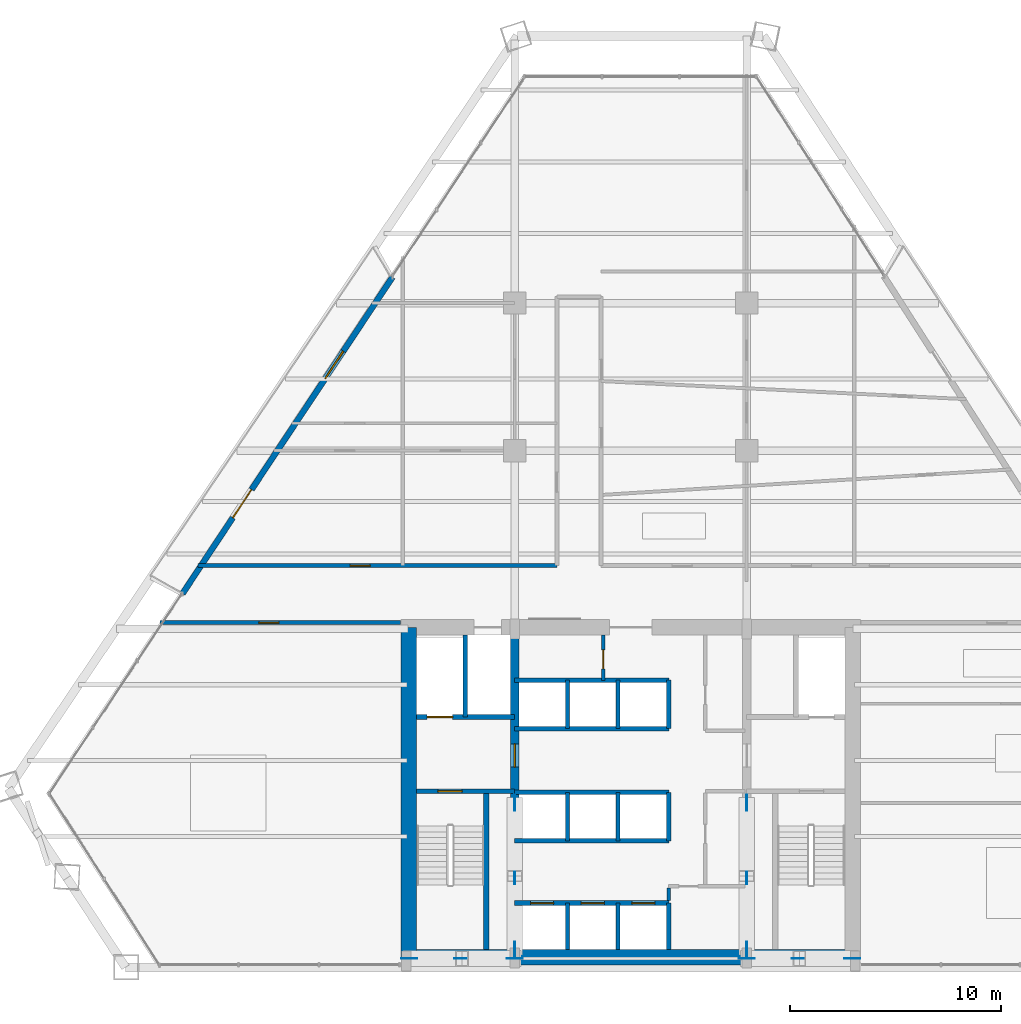
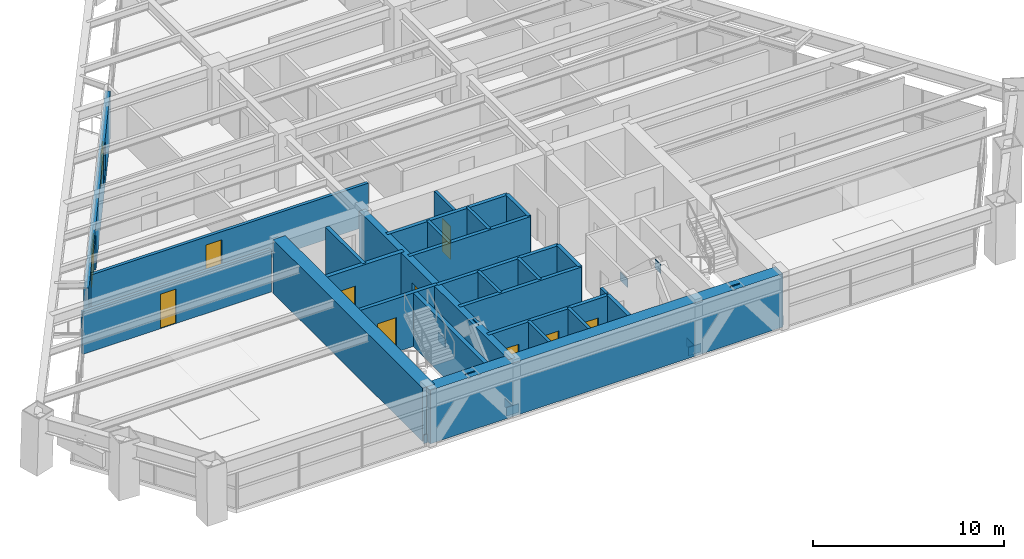
# One storey, part 10 of 14: 26 walls, 12 plates, 10 doors, 1 window, 11 openings.
"""IFC4 building model written with IfcOpenShell, lengths in metres."""

import ifcopenshell
import ifcopenshell.guid

model = None  # the IFC model being written
_history = None  # IfcOwnerHistory: only IFC2X3 demands one
_inside = {}  # id of a spatial element -> (the spatial element, [elements in it])
_under = {}  # id of a project, library or spatial element -> (it, [spatial elements below it])
_declared = {}  # id of a project -> (the project, [libraries it declares])
_typed = {}  # id of a type object -> (the type object, [elements of that type])
_made_of = {}  # id of a material, layer set ... -> (it, [elements and type objects made of it])


def new_model(schema):
    """Start an empty IFC model of exactly this schema.

    Asked for "IFC4X3", IfcOpenShell would pick the latest addendum, in which some entities
    have other attributes; the version numbers below select the first issue.
    IFC2X3 requires an IfcOwnerHistory on every rooted entity: one is made here for all.
    """
    global model, _history
    if schema == "IFC4X3":
        model = ifcopenshell.file(schema_version=(4, 3, 0, 0))
    else:
        model = ifcopenshell.file(schema=schema)
    _inside.clear()
    _under.clear()
    _declared.clear()
    _typed.clear()
    _made_of.clear()
    _history = None
    if model.schema == "IFC2X3":
        org = make("IfcOrganization", Name="unknown")
        user = make(
            "IfcPersonAndOrganization",
            ThePerson=make("IfcPerson", FamilyName="unknown"),
            TheOrganization=org,
        )
        app = make(
            "IfcApplication",
            ApplicationDeveloper=org,
            Version="unknown",
            ApplicationFullName="unknown",
            ApplicationIdentifier="unknown",
        )
        _history = make(
            "IfcOwnerHistory",
            OwningUser=user,
            OwningApplication=app,
            ChangeAction="ADDED",
            CreationDate=0,
        )
    return model


def make(cls, **values):
    """One entity of the class cls with the attributes given. An attribute that is None is left unset."""
    return model.create_entity(
        cls, **{name: value for name, value in values.items() if value is not None}
    )


def rooted(cls, **values):
    """An entity with a GlobalId (a new one), such as an element, a storey or a relation."""
    return make(cls, GlobalId=ifcopenshell.guid.new(), OwnerHistory=_history, **values)


def si_unit(unit_type, name, prefix=None):
    """IfcSIUnit, for example si_unit("LENGTHUNIT", "METRE", prefix="MILLI")."""
    return make("IfcSIUnit", UnitType=unit_type, Prefix=prefix, Name=name)


def assignment(units):
    """IfcUnitAssignment: the units of a project."""
    return None if units is None else make("IfcUnitAssignment", Units=units)


def point(xyz):
    """IfcCartesianPoint."""
    return None if xyz is None else make("IfcCartesianPoint", Coordinates=xyz)


def direction(xyz):
    """IfcDirection."""
    return None if xyz is None else make("IfcDirection", DirectionRatios=xyz)


def frame(location, z_axis=None, x_axis=None):
    """IfcAxis2Placement3D, a coordinate frame: its origin and axes. An axis left out is left unset."""
    return make(
        "IfcAxis2Placement3D",
        Location=point(location),
        Axis=direction(z_axis),
        RefDirection=direction(x_axis),
    )


def frame_2d(location, x_axis=None):
    """IfcAxis2Placement2D, a coordinate frame in the plane: its origin and x axis."""
    return make(
        "IfcAxis2Placement2D", Location=point(location), RefDirection=direction(x_axis)
    )


def origin():
    """The frame at (0, 0, 0) with its axes left unset."""
    return frame((0.0, 0.0, 0.0))


def origin_2d():
    """The frame at (0, 0) in the plane with its x axis left unset."""
    return frame_2d((0.0, 0.0))


def place(relative_to, where):
    """IfcLocalPlacement: puts the frame where relative to a parent placement (None: the world)."""
    return make(
        "IfcLocalPlacement", PlacementRelTo=relative_to, RelativePlacement=where
    )


def context(
    kind, dimensions, precision=None, world=None, true_north=None, identifier=None
):
    """IfcGeometricRepresentationContext, for example the 3D "Model" context."""
    return make(
        "IfcGeometricRepresentationContext",
        ContextIdentifier=identifier,
        ContextType=kind,
        CoordinateSpaceDimension=dimensions,
        Precision=precision,
        WorldCoordinateSystem=world,
        TrueNorth=true_north,
    )


def subcontext(parent, identifier, kind, view, scale=None):
    """IfcGeometricRepresentationSubContext, for example "Body" below "Model"."""
    return make(
        "IfcGeometricRepresentationSubContext",
        ContextIdentifier=identifier,
        ContextType=kind,
        ParentContext=parent,
        TargetScale=scale,
        TargetView=view,
    )


def project(units=None, contexts=None):
    """IfcProject with its units and contexts."""
    return rooted(
        "IfcProject",
        Name="project",
        RepresentationContexts=contexts,
        UnitsInContext=assignment(units),
    )


def spatial(cls, under=None, at=None, **own):
    """A site, building, storey or space (cls), placed at a placement, below another one or the project."""
    s = rooted(cls, ObjectPlacement=at, **own)
    if under is not None:
        _under.setdefault(under.id(), (under, []))[1].append(s)
    return s


def profile(cls, at=None, kind="AREA", **sizes):
    """A parametric profile (cls). Its sizes go by their IFC names, for example OverallWidth=200.0."""
    return make(cls, ProfileType=kind, Position=at, **sizes)


def rectangle(**sizes):
    """IfcRectangleProfileDef."""
    return profile("IfcRectangleProfileDef", **sizes)


def extrude(swept, where, along, depth):
    """IfcExtrudedAreaSolid: the profile swept, set in the frame where, extruded along a direction by depth."""
    return make(
        "IfcExtrudedAreaSolid",
        SweptArea=swept,
        Position=where,
        ExtrudedDirection=direction(along),
        Depth=depth,
    )


def shape(context_of_items, identifier, shape_type, items):
    """IfcShapeRepresentation: the items that make up one representation, for example the "Body"."""
    return make(
        "IfcShapeRepresentation",
        ContextOfItems=context_of_items,
        RepresentationIdentifier=identifier,
        RepresentationType=shape_type,
        Items=items,
    )


def source(mapping_origin, context_of_items, identifier, shape_type, items):
    """IfcRepresentationMap: a shape defined once, which mapped items show again and again."""
    return make(
        "IfcRepresentationMap",
        MappingOrigin=mapping_origin,
        MappedRepresentation=shape(context_of_items, identifier, shape_type, items),
    )


def transform(
    local_origin,
    x_axis=None,
    y_axis=None,
    z_axis=None,
    scale=None,
    scale2=None,
    scale3=None,
    uniform=True,
):
    """IfcCartesianTransformationOperator3D, or its non-uniform kind. x_axis, y_axis, z_axis: its Axis1, 2, 3."""
    if uniform:
        return make(
            "IfcCartesianTransformationOperator3D",
            Axis1=direction(x_axis),
            Axis2=direction(y_axis),
            LocalOrigin=point(local_origin),
            Scale=scale,
            Axis3=direction(z_axis),
        )
    return make(
        "IfcCartesianTransformationOperator3DnonUniform",
        Axis1=direction(x_axis),
        Axis2=direction(y_axis),
        LocalOrigin=point(local_origin),
        Scale=scale,
        Axis3=direction(z_axis),
        Scale2=scale2,
        Scale3=scale3,
    )


def mapped(mapping_source, mapping_target):
    """IfcMappedItem: shows the shape of a source again, moved by a transform."""
    return make(
        "IfcMappedItem", MappingSource=mapping_source, MappingTarget=mapping_target
    )


def material(Name=None, Category=None):
    """IfcMaterial."""
    return make("IfcMaterial", Name=Name, Category=Category)


def layer(
    of_material, thickness, ventilated=None, Name=None, Category=None, Priority=None
):
    """IfcMaterialLayer: one layer of a wall or slab, of a material (None: an air gap)."""
    return make(
        "IfcMaterialLayer",
        Material=of_material,
        LayerThickness=thickness,
        IsVentilated=ventilated,
        Name=Name,
        Category=Category,
        Priority=Priority,
    )


def layer_set(layers, Name=None):
    """IfcMaterialLayerSet."""
    return make("IfcMaterialLayerSet", MaterialLayers=layers, LayerSetName=Name)


def made_of(thing, what):
    """Note that an element or type object is made of a material, layer set ...; save() writes the relation."""
    if what is not None:
        _made_of.setdefault(what.id(), (what, []))[1].append(thing)
    return thing


def type_object(cls, material=None, **own):
    """A type object (cls), such as IfcWallType, which elements share."""
    return made_of(rooted(cls, **own), material)


def type_shapes(of_type, sources):
    """Give a type object the sources (RepresentationMaps) that its elements show as mapped items."""
    of_type.RepresentationMaps = sources


def element(
    cls,
    number,
    at=None,
    inside=None,
    cuts=None,
    type_object=None,
    material=None,
    context=None,
    identifier="Body",
    shape_type=None,
    held_by="IfcProductDefinitionShape",
    body=None,
    shapes=None,
    **own,
):
    """One element of the class cls, such as IfcWall. Its Tag is "e" and its number.

    at: its placement. inside: the storey or other place that contains it. cuts: it is an
    opening in that element (IfcRelVoidsElement). A single representation is given by context,
    identifier, shape_type and body (its items); several are given by shapes. held_by: the class
    of the entity that holds the representations. save() writes the other relations.
    """
    e = rooted(cls, Tag="e%d" % number, ObjectPlacement=at, **own)
    if body is not None:
        shapes = [shape(context, identifier, shape_type, body)]
    if shapes is not None:
        e.Representation = make(held_by, Representations=shapes)
    if inside is not None:
        _inside.setdefault(inside.id(), (inside, []))[1].append(e)
    if cuts is not None:
        rooted(
            "IfcRelVoidsElement", RelatingBuildingElement=cuts, RelatedOpeningElement=e
        )
    if type_object is not None:
        _typed.setdefault(type_object.id(), (type_object, []))[1].append(e)
    return made_of(e, material)


def fill(opening, filler):
    """IfcRelFillsElement: the door or window that sits in an opening."""
    return rooted(
        "IfcRelFillsElement",
        RelatingOpeningElement=opening,
        RelatedBuildingElement=filler,
    )


def aggregate(whole, parts):
    """IfcRelAggregates: a whole, such as a stair, and the parts it consists of."""
    return rooted("IfcRelAggregates", RelatingObject=whole, RelatedObjects=parts)


def save(model, path):
    """Write the relations noted so far, then the file.

    IfcRelAggregates (storeys below a building ...), IfcRelContainedInSpatialStructure (elements
    in a storey), IfcRelDefinesByType, IfcRelAssociatesMaterial and IfcRelDeclares: one each for
    every whole, place, type object, material and project.
    """
    for whole, parts in _under.values():
        aggregate(whole, parts)
    for where, things in _inside.values():
        rooted(
            "IfcRelContainedInSpatialStructure",
            RelatedElements=things,
            RelatingStructure=where,
        )
    for kind, things in _typed.values():
        rooted("IfcRelDefinesByType", RelatedObjects=things, RelatingType=kind)
    for what, things in _made_of.values():
        rooted("IfcRelAssociatesMaterial", RelatedObjects=things, RelatingMaterial=what)
    for by, libraries in _declared.values():
        rooted("IfcRelDeclares", RelatingContext=by, RelatedDefinitions=libraries)
    model.write(path)


model = new_model("IFC4")

# Units and contexts
model_context = context("Model", 3, precision=1e-05, world=origin(), true_north=direction((0.0, 1.0)))
body_context = subcontext(model_context, "Body", "Model", "MODEL_VIEW")
ifc_project = project(units=[si_unit("LENGTHUNIT", "METRE"), si_unit("AREAUNIT", "SQUARE_METRE"), si_unit("VOLUMEUNIT", "CUBIC_METRE"), si_unit("PLANEANGLEUNIT", "RADIAN"), si_unit("MASSUNIT", "GRAM", prefix="KILO")], contexts=[model_context])

# Site, building, storey
site_placement = place(None, origin())
site = spatial("IfcSite", under=ifc_project, at=site_placement, CompositionType="ELEMENT")
building_placement = place(site_placement, origin())
building = spatial("IfcBuilding", under=site, at=building_placement, Name="Varnakhor Terracotta Tower", CompositionType="ELEMENT")
storey_placement = place(building_placement, frame((0.0, 0.0, 117.300048828125)))
storey = spatial("IfcBuildingStorey", under=building, at=storey_placement, Name="L29", CompositionType="ELEMENT", Elevation=117.300048828125)

# Plates
ifc_material_1 = material(Name="Steel S460", Category="steel")
ifc_layer_1 = layer(ifc_material_1, 0.050048828125, Name="Steel S460")
ifc_layer_set_1 = layer_set([ifc_layer_1], Name="Steel S460")
plate_type = type_object("IfcPlateType", Name="PLT-GUSSET-50", PredefinedType="USERDEFINED", material=ifc_layer_set_1)
shared_shape_1 = source(origin(), body_context, "Body", "SweptSolid", [
    extrude(rectangle(XDim=0.75, YDim=0.0400390625, at=origin_2d()), origin(), (0.0, 0.0, 1.0), 0.550048828125),
])
type_shapes(plate_type, [shared_shape_1])
for number, where, z_axis, x_axis, name in (
    (1, (-10.5, 0.419921875, -0.09521484375), (0.0, 0.0, 1.0), (1.0, 0.0, 0.0), "L29 Core Brace Embed Plate CSWA"),
    (2, (-5.5, 0.419921875, -0.09521484375), (0.0, 0.0, 1.0), (1.0, 0.0, 0.0), "L29 Core Brace Embed Plate CSWB"),
    (3, (5.5, 0.419921875, -0.09521484375), (0.0, 0.0, 1.0), (1.0, 0.0, 0.0), "L29 Core Brace Embed Plate CSEA"),
    (4, (10.5, 0.419921875, -0.09521484375), (0.0, 0.0, 1.0), (1.0, 0.0, 0.0), "L29 Core Brace Embed Plate CSEB"),
    (5, (-5.5, 0.85009765625, -0.09521484375), (0.0, 0.0, 1.0), (0.0, 1.0, 0.0), "L29 Core Brace Embed Plate CWWA"),
    (6, (-5.5, 7.800048828125, -0.09521484375), (0.0, 0.0, 1.0), (0.0, 1.0, 0.0), "L29 Core Brace Embed Plate CWWB"),
    (7, (5.5, 0.85009765625, -0.09521484375), (0.0, 0.0, 1.0), (0.0, 1.0, 0.0), "L29 Core Brace Embed Plate CWEA"),
    (8, (5.5, 7.800048828125, -0.09521484375), (0.0, 0.0, 1.0), (0.0, 1.0, 0.0), "L29 Core Brace Embed Plate CWEB"),
):
    element("IfcPlate", number, at=place(storey_placement, frame(where, z_axis=z_axis, x_axis=x_axis)), inside=storey, type_object=plate_type, Name=name, ObjectType="GUSSET PLATE", PredefinedType="USERDEFINED", context=body_context, shape_type="MappedRepresentation", body=[
        mapped(shared_shape_1, transform((0.0, 0.0, 0.0), scale=1.0)),
    ])
shared_shape_2 = source(origin(), body_context, "Body", "SweptSolid", [
    extrude(rectangle(XDim=0.580078125, YDim=0.0400390625, at=origin_2d()), origin(), (0.0, 0.0, 1.0), 0.580078125),
])
for number, where, z_axis, x_axis, name in (
    (9, (-8.072998046875, 0.419921875, 2.884521484375), (0.0, 0.0, 1.0), (1.0, 0.0, 0.0), "L29 Brace End Connection Plate 108"),
    (10, (7.927001953125, 0.419921875, 2.884521484375), (0.0, 0.0, 1.0), (1.0, 0.0, 0.0), "L29 Brace End Connection Plate 109"),
    (11, (-5.5, 4.237548828125, 2.897705078125), (0.0, 0.0, 1.0), (0.0, 1.0, 0.0), "L29 Brace End Connection Plate 110"),
    (12, (5.5, 4.237548828125, 2.897705078125), (0.0, 0.0, 1.0), (0.0, 1.0, 0.0), "L29 Brace End Connection Plate 111"),
):
    element("IfcPlate", number, at=place(storey_placement, frame(where, z_axis=z_axis, x_axis=x_axis)), inside=storey, type_object=plate_type, Name=name, ObjectType="GUSSET PLATE", PredefinedType="USERDEFINED", context=body_context, shape_type="MappedRepresentation", body=[
        mapped(shared_shape_2, transform((0.0, 0.0, 0.0), scale=1.0)),
    ])

# Walls
ifc_material_2 = material(Name="Concrete C60/75", Category="concrete")
ifc_layer_2 = layer(ifc_material_2, 0.75, Name="Concrete C60/75")
ifc_layer_set_2 = layer_set([ifc_layer_2], Name="Concrete C60/75")
wall_type_1 = type_object("IfcWallType", Name="WAL-CORE-750", PredefinedType="SHEAR", material=ifc_layer_set_2)
wall_1_placement = place(storey_placement, frame((-10.64990234375, 0.47509765625, 0.0), z_axis=(0.0, 0.0, 1.0), x_axis=(1.0, 0.0, 0.0)))
element("IfcWall", 13, at=wall_1_placement, inside=storey, type_object=wall_type_1, Name="L29 South Core Shear Wall", PredefinedType="SHEAR", context=body_context, shape_type="SweptSolid", body=[
    extrude(rectangle(XDim=21.2998046875, YDim=0.75, at=frame_2d((10.64990234375, 0.0))), origin(), (0.0, 0.0, 1.0), 3.419921875),
])
wall_2_placement = place(storey_placement, frame((-10.52490234375, 0.47509765625, 0.0), z_axis=(0.0, 0.0, 1.0), x_axis=(0.0, 1.0, 0.0)))
element("IfcWall", 14, at=wall_2_placement, inside=storey, type_object=wall_type_1, Name="L29 West Core Shear Wall", PredefinedType="SHEAR", context=body_context, shape_type="SweptSolid", body=[
    extrude(rectangle(XDim=15.64990234375, YDim=0.75, at=frame_2d((7.824951171875, 0.0))), origin(), (0.0, 0.0, 1.0), 3.419921875),
])

# Wall, opening, door
ifc_material_3 = material(Name="Concrete C50/60", Category="concrete")
ifc_layer_3 = layer(ifc_material_3, 0.39990234375, Name="Concrete C50/60")
ifc_layer_set_3 = layer_set([ifc_layer_3], Name="Concrete C50/60")
wall_type_2 = type_object("IfcWallType", Name="WAL-CORE-WEB-400", PredefinedType="SHEAR", material=ifc_layer_set_3)
wall_3_placement = place(storey_placement, frame((-5.5, 0.47509765625, 0.0), z_axis=(0.0, 0.0, 1.0), x_axis=(0.0, 1.0, 0.0)))
wall_3 = element("IfcWall", 15, at=wall_3_placement, inside=storey, type_object=wall_type_2, Name="L29 West Core Web Shear Wall", PredefinedType="SHEAR", context=body_context, shape_type="SweptSolid", body=[
    extrude(rectangle(XDim=15.64990234375, YDim=0.39990234375, at=frame_2d((7.824951171875, 0.0))), origin(), (0.0, 0.0, 1.0), 3.419921875),
])
opening_1_placement = place(wall_3_placement, frame((9.02490234375, 0.0, 0.0)))
opening_1 = element("IfcOpeningElement", 16, at=opening_1_placement, cuts=wall_3, Name="Opening DR-25", PredefinedType="OPENING", context=body_context, shape_type="SweptSolid", body=[
    extrude(rectangle(XDim=1.10009765625, YDim=2.199951171875, at=frame_2d((0.550048828125, 1.10009765625))), frame((0.0, 0.2099609375, 0.0), z_axis=(0.0, -1.0, 0.0), x_axis=(1.0, 0.0, 0.0)), (0.0, 0.0, 1.0), 0.419921875),
])
ifc_material_4 = material(Name="Firefighting Lobby Self-Closing Fire Door", Category="steel")
door_type_1 = type_object("IfcDoorType", Name="DR-FFL-1100X2200", OperationType="NOTDEFINED", PredefinedType="DOOR", material=ifc_material_4)
shared_shape_3 = source(origin(), body_context, "Body", "SweptSolid", [
    extrude(rectangle(XDim=1.10009765625, YDim=2.199951171875, at=frame_2d((0.550048828125, 1.10009765625))), frame((0.0, 0.02490234375, 0.0), z_axis=(0.0, -1.0, 0.0), x_axis=(1.0, 0.0, 0.0)), (0.0, 0.0, 1.0), 0.050048828125),
])
type_shapes(door_type_1, [shared_shape_3])
door_1_placement = place(opening_1_placement, origin())
door_1 = element("IfcDoor", 17, at=door_1_placement, inside=storey, type_object=door_type_1, Name="L29 West Firefighting Lobby Door", OperationType="SINGLE_SWING_LEFT", OverallHeight=2.199951171875, OverallWidth=1.10009765625, PredefinedType="DOOR", context=body_context, shape_type="MappedRepresentation", body=[
    mapped(shared_shape_3, transform((0.0, 0.0, 0.0), scale=1.0)),
])
fill(opening_1, door_1)

ifc_material_5 = material(Name="Fire-Rated Gypsum Stud Partition", Category="gypsum")
ifc_layer_4 = layer(ifc_material_5, 0.18505859375, Name="Fire-Rated Gypsum Stud Partition")
ifc_layer_set_4 = layer_set([ifc_layer_4], Name="Fire-Rated Gypsum Stud Partition")
wall_type_3 = type_object("IfcWallType", Name="WAL-CORR-185", PredefinedType="PARTITIONING", material=ifc_layer_set_4)
wall_4_placement = place(storey_placement, frame((-22.320556640625, 16.35009765625, 0.0), z_axis=(0.0, 0.0, 1.0), x_axis=(1.0, 0.0, 0.0)))
wall_4 = element("IfcWall", 18, at=wall_4_placement, inside=storey, type_object=wall_type_3, Name="L29 South West Corridor Wall", PredefinedType="PARTITIONING", context=body_context, shape_type="SweptSolid", body=[
    extrude(rectangle(XDim=11.400634765625, YDim=0.18505859375, at=frame_2d((5.7001953125, 0.0))), origin(), (0.0, 0.0, 1.0), 2.717041015625),
])
opening_2_placement = place(wall_4_placement, frame((4.689208984375, 0.0, 0.0)))
opening_2 = element("IfcOpeningElement", 19, at=opening_2_placement, cuts=wall_4, Name="Opening DR-94", PredefinedType="OPENING", context=body_context, shape_type="SweptSolid", body=[
    extrude(rectangle(XDim=0.949951171875, YDim=2.199951171875, at=frame_2d((0.47509765625, 1.10009765625))), frame((0.0, 0.1025390625, 0.0), z_axis=(0.0, -1.0, 0.0), x_axis=(1.0, 0.0, 0.0)), (0.0, 0.0, 1.0), 0.205078125),
])
ifc_material_6 = material(Name="Acoustic Glazed-Vision Timber Office Door", Category="wood")
door_type_2 = type_object("IfcDoorType", Name="DR-OFF-950X2200", OperationType="NOTDEFINED", PredefinedType="DOOR", material=ifc_material_6)
shared_shape_4 = source(origin(), body_context, "Body", "SweptSolid", [
    extrude(rectangle(XDim=0.949951171875, YDim=2.199951171875, at=frame_2d((0.47509765625, 1.10009765625))), frame((0.0, 0.02490234375, 0.0), z_axis=(0.0, -1.0, 0.0), x_axis=(1.0, 0.0, 0.0)), (0.0, 0.0, 1.0), 0.050048828125),
])
type_shapes(door_type_2, [shared_shape_4])
door_2_placement = place(opening_2_placement, origin())
door_2 = element("IfcDoor", 20, at=door_2_placement, inside=storey, type_object=door_type_2, Name="L29 SW Suite Door", OperationType="SINGLE_SWING_RIGHT", OverallHeight=2.199951171875, OverallWidth=0.949951171875, PredefinedType="DOOR", context=body_context, shape_type="MappedRepresentation", body=[
    mapped(shared_shape_4, transform((0.0, 0.0, 0.0), scale=1.0)),
])
fill(opening_2, door_2)

wall_5_placement = place(storey_placement, frame((-20.529296875, 19.050048828125, 0.0), z_axis=(0.0, 0.0, 1.0), x_axis=(1.0, 0.0, 0.0)))
wall_5 = element("IfcWall", 21, at=wall_5_placement, inside=storey, type_object=wall_type_3, Name="L29 Corridor North West Wall", PredefinedType="PARTITIONING", context=body_context, shape_type="SweptSolid", body=[
    extrude(rectangle(XDim=17.029296875, YDim=0.18505859375, at=frame_2d((8.5146484375, 0.0))), origin(), (0.0, 0.0, 1.0), 2.717041015625),
])
opening_3_placement = place(wall_5_placement, frame((7.22216796875, 0.0, 0.0)))
opening_3 = element("IfcOpeningElement", 22, at=opening_3_placement, cuts=wall_5, Name="Opening DR-94", PredefinedType="OPENING", context=body_context, shape_type="SweptSolid", body=[
    extrude(rectangle(XDim=0.949951171875, YDim=2.199951171875, at=frame_2d((0.47509765625, 1.10009765625))), frame((0.0, 0.1025390625, 0.0), z_axis=(0.0, -1.0, 0.0), x_axis=(1.0, 0.0, 0.0)), (0.0, 0.0, 1.0), 0.205078125),
])
door_3_placement = place(opening_3_placement, origin())
door_3 = element("IfcDoor", 23, at=door_3_placement, inside=storey, type_object=door_type_2, Name="L29 West Workplace Door", OperationType="SINGLE_SWING_RIGHT", OverallHeight=2.199951171875, OverallWidth=0.949951171875, PredefinedType="DOOR", context=body_context, shape_type="MappedRepresentation", body=[
    mapped(shared_shape_4, transform((0.0, 0.0, 0.0), scale=1.0)),
])
fill(opening_3, door_3)

# Wall, openings, door, window
ifc_material_7 = material(Name="Extruded Architectural Terracotta Assembly", Category="masonry")
ifc_layer_5 = layer(ifc_material_7, 0.280029296875, Name="Extruded Architectural Terracotta Assembly")
ifc_layer_set_5 = layer_set([ifc_layer_5], Name="Extruded Architectural Terracotta Assembly")
wall_type_4 = type_object("IfcWallType", Name="WAL-EXT-TERRACOTTA-280", PredefinedType="SOLIDWALL", material=ifc_layer_set_5)
wall_6_placement = place(storey_placement, frame((-21.255615234375, 17.72021484375, 0.0), z_axis=(0.0, 0.0, 1.0), x_axis=(0.552837339674, 0.833289191015, 0.0)))
wall_6 = element("IfcWall", 24, at=wall_6_placement, inside=storey, type_object=wall_type_4, Name="L29 W Loggia Insulated Terracotta Wall", PredefinedType="SOLIDWALL", context=body_context, shape_type="SweptSolid", body=[
    extrude(rectangle(XDim=18.008544921875, YDim=0.280029296875, at=frame_2d((9.00439453125, 0.0))), origin(), (0.0, 0.0, 1.0), 3.0),
])
opening_4_placement = place(wall_6_placement, frame((4.322021484375, 0.0, 0.0)))
opening_4 = element("IfcOpeningElement", 25, at=opening_4_placement, cuts=wall_6, Name="Opening DR-62", PredefinedType="OPENING", context=body_context, shape_type="SweptSolid", body=[
    extrude(rectangle(XDim=1.60009765625, YDim=2.35009765625, at=frame_2d((0.800048828125, 1.175048828125))), frame((0.0, 0.14990234375, 0.0), z_axis=(0.0, -1.0, 0.0), x_axis=(1.0, 0.0, 0.0)), (0.0, 0.0, 1.0), 0.300048828125),
])
opening_5_placement = place(wall_6_placement, frame((12.245849609375, 0.0, 0.89990234375)))
opening_5 = element("IfcOpeningElement", 26, at=opening_5_placement, cuts=wall_6, Name="Opening WN-57", PredefinedType="OPENING", context=body_context, shape_type="SweptSolid", body=[
    extrude(rectangle(XDim=1.550048828125, YDim=1.85009765625, at=frame_2d((0.77490234375, 0.925048828125))), frame((0.0, 0.14990234375, 0.0), z_axis=(0.0, -1.0, 0.0), x_axis=(1.0, 0.0, 0.0)), (0.0, 0.0, 1.0), 0.300048828125),
])
ifc_material_8 = material(Name="Thermally Broken Sliding Glass Loggia Door", Category="glass")
door_type_3 = type_object("IfcDoorType", Name="DR-EXT-LOGGIA-1600X2350", OperationType="NOTDEFINED", PredefinedType="DOOR", material=ifc_material_8)
shared_shape_5 = source(origin(), body_context, "Body", "SweptSolid", [
    extrude(rectangle(XDim=1.60009765625, YDim=2.35009765625, at=frame_2d((0.800048828125, 1.175048828125))), frame((0.0, 0.02490234375, 0.0), z_axis=(0.0, -1.0, 0.0), x_axis=(1.0, 0.0, 0.0)), (0.0, 0.0, 1.0), 0.050048828125),
])
type_shapes(door_type_3, [shared_shape_5])
door_4_placement = place(opening_4_placement, origin())
door_4 = element("IfcDoor", 27, at=door_4_placement, inside=storey, type_object=door_type_3, Name="L29 W Recessed Loggia Sliding Door", OperationType="SLIDING_TO_LEFT", OverallHeight=2.35009765625, OverallWidth=1.60009765625, PredefinedType="DOOR", context=body_context, shape_type="MappedRepresentation", body=[
    mapped(shared_shape_5, transform((0.0, 0.0, 0.0), scale=1.0)),
])
fill(opening_4, door_4)
ifc_material_9 = material(Name="Solar-Control Low-E Insulated Glass Unit", Category="glass")
window_type = type_object("IfcWindowType", Name="WIN-OFF-1650X2100", PartitioningType="SINGLE_PANEL", PredefinedType="WINDOW", material=ifc_material_9)
shared_shape_6 = source(origin(), body_context, "Body", "SweptSolid", [
    extrude(rectangle(XDim=1.550048828125, YDim=1.85009765625, at=frame_2d((0.77490234375, 0.925048828125))), frame((0.0, 0.030029296875, 0.0), z_axis=(0.0, -1.0, 0.0), x_axis=(1.0, 0.0, 0.0)), (0.0, 0.0, 1.0), 0.06005859375),
])
type_shapes(window_type, [shared_shape_6])
window_placement = place(opening_5_placement, origin())
window = element("IfcWindow", 28, at=window_placement, inside=storey, type_object=window_type, Name="L29 W Facet Punched Window", OverallHeight=1.85009765625, OverallWidth=1.550048828125, PartitioningType="SINGLE_PANEL", PredefinedType="WINDOW", context=body_context, shape_type="MappedRepresentation", body=[
    mapped(shared_shape_6, transform((0.0, 0.0, 0.0), scale=1.0)),
])
fill(opening_5, window)

# Wall, opening, door
ifc_material_10 = material(Name="Concrete C40/50", Category="concrete")
ifc_layer_6 = layer(ifc_material_10, 0.219970703125, Name="Concrete C40/50")
ifc_layer_set_6 = layer_set([ifc_layer_6], Name="Concrete C40/50")
wall_type_5 = type_object("IfcWallType", Name="WAL-FFLOBBY-220", PredefinedType="SOLIDWALL", material=ifc_layer_set_6)
wall_7_placement = place(storey_placement, frame((-5.5, 8.35009765625, 0.0), z_axis=(0.0, 0.0, 1.0), x_axis=(-1.0, 0.0, 0.0)))
wall_7 = element("IfcWall", 29, at=wall_7_placement, inside=storey, type_object=wall_type_5, Name="L29 West Firefighting Lobby Stair Wall", PredefinedType="SOLIDWALL", context=body_context, shape_type="SweptSolid", body=[
    extrude(rectangle(XDim=4.64990234375, YDim=0.219970703125, at=frame_2d((2.324951171875, 0.0))), origin(), (0.0, 0.0, 1.0), 3.419921875),
])
opening_6_placement = place(wall_7_placement, frame((2.5, 0.0, 0.0)))
opening_6 = element("IfcOpeningElement", 30, at=opening_6_placement, cuts=wall_7, Name="Opening DR-34", PredefinedType="OPENING", context=body_context, shape_type="SweptSolid", body=[
    extrude(rectangle(XDim=1.14990234375, YDim=2.199951171875, at=frame_2d((0.574951171875, 1.10009765625))), frame((0.0, 0.1201171875, 0.0), z_axis=(0.0, -1.0, 0.0), x_axis=(1.0, 0.0, 0.0)), (0.0, 0.0, 1.0), 0.239990234375),
])
ifc_material_11 = material(Name="Self-Closing Smoke-Sealed Steel Fire Door", Category="steel")
door_type_4 = type_object("IfcDoorType", Name="DR-STAIR-1150X2200", OperationType="NOTDEFINED", PredefinedType="DOOR", material=ifc_material_11)
shared_shape_7 = source(origin(), body_context, "Body", "SweptSolid", [
    extrude(rectangle(XDim=1.14990234375, YDim=2.199951171875, at=frame_2d((0.574951171875, 1.10009765625))), frame((0.0, 0.02490234375, 0.0), z_axis=(0.0, -1.0, 0.0), x_axis=(1.0, 0.0, 0.0)), (0.0, 0.0, 1.0), 0.050048828125),
])
type_shapes(door_type_4, [shared_shape_7])
door_5_placement = place(opening_6_placement, origin())
door_5 = element("IfcDoor", 31, at=door_5_placement, inside=storey, type_object=door_type_4, Name="L29 Exit Stair ST-1 Fire Door", OperationType="SINGLE_SWING_RIGHT", OverallHeight=2.199951171875, OverallWidth=1.14990234375, PredefinedType="DOOR", context=body_context, shape_type="MappedRepresentation", body=[
    mapped(shared_shape_7, transform((0.0, 0.0, 0.0), scale=1.0)),
])
fill(opening_6, door_5)

# Walls
ifc_layer_7 = layer(ifc_material_10, 0.179931640625, Name="Concrete C40/50")
ifc_layer_set_7 = layer_set([ifc_layer_7], Name="Concrete C40/50")
wall_type_6 = type_object("IfcWallType", Name="WAL-SHAFT-180", PredefinedType="SOLIDWALL", material=ifc_layer_set_7)
for number, where, z_axis, x_axis, name in (
    (32, (-3.0, 0.85009765625, 0.0), (0.0, 0.0, 1.0), (0.0, 1.0, 0.0), "L29 PL-1A Divider"),
    (33, (-0.60009765625, 0.85009765625, 0.0), (0.0, 0.0, 1.0), (0.0, 1.0, 0.0), "L29 PL-1B Divider"),
):
    element("IfcWall", number, at=place(storey_placement, frame(where, z_axis=z_axis, x_axis=x_axis)), inside=storey, type_object=wall_type_6, Name=name, PredefinedType="SOLIDWALL", context=body_context, shape_type="SweptSolid", body=[
        extrude(rectangle(XDim=2.199951171875, YDim=0.179931640625, at=frame_2d((1.10009765625, 0.0))), origin(), (0.0, 0.0, 1.0), 3.419921875),
    ])
for number, where, z_axis, x_axis, name in (
    (34, (-3.0, 6.0, 0.0), (0.0, 0.0, 1.0), (0.0, 1.0, 0.0), "L29 PL-2A Divider"),
    (35, (-0.60009765625, 6.0, 0.0), (0.0, 0.0, 1.0), (0.0, 1.0, 0.0), "L29 PL-2B Divider"),
    (36, (-3.0, 11.320068359375, 0.0), (0.0, 0.0, 1.0), (0.0, 1.0, 0.0), "L29 PL-3A Divider"),
    (37, (-0.60009765625, 11.320068359375, 0.0), (0.0, 0.0, 1.0), (0.0, 1.0, 0.0), "L29 PL-3B Divider"),
):
    element("IfcWall", number, at=place(storey_placement, frame(where, z_axis=z_axis, x_axis=x_axis)), inside=storey, type_object=wall_type_6, Name=name, PredefinedType="SOLIDWALL", context=body_context, shape_type="SweptSolid", body=[
        extrude(rectangle(XDim=2.300048828125, YDim=0.179931640625, at=frame_2d((1.14990234375, 0.0))), origin(), (0.0, 0.0, 1.0), 3.419921875),
    ])
ifc_layer_8 = layer(ifc_material_10, 0.219970703125, Name="Concrete C40/50")
ifc_layer_set_8 = layer_set([ifc_layer_8], Name="Concrete C40/50")
wall_type_7 = type_object("IfcWallType", Name="WAL-SHAFT-220", PredefinedType="SOLIDWALL", material=ifc_layer_set_8)
wall_8_placement = place(storey_placement, frame((-7.840087890625, 11.8701171875, 0.0), z_axis=(0.0, 0.0, 1.0), x_axis=(0.0, 1.0, 0.0)))
element("IfcWall", 38, at=wall_8_placement, inside=storey, type_object=wall_type_7, Name="L29 Lift FFL-1 and SVL-1 Divider Wall", PredefinedType="SOLIDWALL", context=body_context, shape_type="SweptSolid", body=[
    extrude(rectangle(XDim=3.8798828125, YDim=0.219970703125, at=frame_2d((1.93994140625, 0.0))), origin(), (0.0, 0.0, 1.0), 3.419921875),
])

# Wall, openings, doors
wall_9_placement = place(storey_placement, frame((-5.5, 3.050048828125, 0.0), z_axis=(0.0, 0.0, 1.0), x_axis=(1.0, 0.0, 0.0)))
wall_9 = element("IfcWall", 39, at=wall_9_placement, inside=storey, type_object=wall_type_7, Name="L29 Bank 1 Lift Shaft Wall", PredefinedType="SOLIDWALL", context=body_context, shape_type="SweptSolid", body=[
    extrude(rectangle(XDim=7.320068359375, YDim=0.219970703125, at=frame_2d((3.66015625, 0.0))), origin(), (0.0, 0.0, 1.0), 3.419921875),
])
opening_7_placement = place(wall_9_placement, frame((0.75, 0.0, 0.0)))
opening_7 = element("IfcOpeningElement", 40, at=opening_7_placement, cuts=wall_9, Name="Opening LD-01", PredefinedType="OPENING", context=body_context, shape_type="SweptSolid", body=[
    extrude(rectangle(XDim=1.10009765625, YDim=2.199951171875, at=frame_2d((0.550048828125, 1.10009765625))), frame((0.0, 0.1201171875, 0.0), z_axis=(0.0, -1.0, 0.0), x_axis=(1.0, 0.0, 0.0)), (0.0, 0.0, 1.0), 0.239990234375),
])
opening_8_placement = place(wall_9_placement, frame((3.14990234375, 0.0, 0.0)))
opening_8 = element("IfcOpeningElement", 41, at=opening_8_placement, cuts=wall_9, Name="Opening LD-01", PredefinedType="OPENING", context=body_context, shape_type="SweptSolid", body=[
    extrude(rectangle(XDim=1.10009765625, YDim=2.199951171875, at=frame_2d((0.550048828125, 1.10009765625))), frame((0.0, 0.1201171875, 0.0), z_axis=(0.0, -1.0, 0.0), x_axis=(1.0, 0.0, 0.0)), (0.0, 0.0, 1.0), 0.239990234375),
])
opening_9_placement = place(wall_9_placement, frame((5.550048828125, 0.0, 0.0)))
opening_9 = element("IfcOpeningElement", 42, at=opening_9_placement, cuts=wall_9, Name="Opening LD-01", PredefinedType="OPENING", context=body_context, shape_type="SweptSolid", body=[
    extrude(rectangle(XDim=1.10009765625, YDim=2.199951171875, at=frame_2d((0.550048828125, 1.10009765625))), frame((0.0, 0.1201171875, 0.0), z_axis=(0.0, -1.0, 0.0), x_axis=(1.0, 0.0, 0.0)), (0.0, 0.0, 1.0), 0.239990234375),
])
ifc_material_12 = material(Name="Brushed Stainless Steel Sliding Lift Landing Door", Category="steel")
door_type_5 = type_object("IfcDoorType", Name="LD-PASS-1100X2200", OperationType="NOTDEFINED", PredefinedType="DOOR", material=ifc_material_12)
shared_shape_8 = source(origin(), body_context, "Body", "SweptSolid", [
    extrude(rectangle(XDim=1.10009765625, YDim=2.199951171875, at=frame_2d((0.550048828125, 1.10009765625))), frame((0.0, 0.02490234375, 0.0), z_axis=(0.0, -1.0, 0.0), x_axis=(1.0, 0.0, 0.0)), (0.0, 0.0, 1.0), 0.050048828125),
])
type_shapes(door_type_5, [shared_shape_8])
door_6_placement = place(opening_7_placement, origin())
door_6 = element("IfcDoor", 43, at=door_6_placement, inside=storey, type_object=door_type_5, Name="L29 Passenger Lift PL-1A Landing Door", OperationType="SLIDING_TO_RIGHT", OverallHeight=2.199951171875, OverallWidth=1.10009765625, PredefinedType="DOOR", context=body_context, shape_type="MappedRepresentation", body=[
    mapped(shared_shape_8, transform((0.0, 0.0, 0.0), scale=1.0)),
])
fill(opening_7, door_6)
door_7_placement = place(opening_8_placement, origin())
door_7 = element("IfcDoor", 44, at=door_7_placement, inside=storey, type_object=door_type_5, Name="L29 Passenger Lift PL-1B Landing Door", OperationType="SLIDING_TO_RIGHT", OverallHeight=2.199951171875, OverallWidth=1.10009765625, PredefinedType="DOOR", context=body_context, shape_type="MappedRepresentation", body=[
    mapped(shared_shape_8, transform((0.0, 0.0, 0.0), scale=1.0)),
])
fill(opening_8, door_7)
door_8_placement = place(opening_9_placement, origin())
door_8 = element("IfcDoor", 45, at=door_8_placement, inside=storey, type_object=door_type_5, Name="L29 Passenger Lift PL-1C Landing Door", OperationType="SLIDING_TO_RIGHT", OverallHeight=2.199951171875, OverallWidth=1.10009765625, PredefinedType="DOOR", context=body_context, shape_type="MappedRepresentation", body=[
    mapped(shared_shape_8, transform((0.0, 0.0, 0.0), scale=1.0)),
])
fill(opening_9, door_8)

# Walls
wall_10_placement = place(storey_placement, frame((1.800048828125, 0.85009765625, 0.0), z_axis=(0.0, 0.0, 1.0), x_axis=(0.0, 1.0, 0.0)))
element("IfcWall", 46, at=wall_10_placement, inside=storey, type_object=wall_type_7, Name="L29 Bank 1 East Shaft Wall", PredefinedType="SOLIDWALL", context=body_context, shape_type="SweptSolid", body=[
    extrude(rectangle(XDim=2.199951171875, YDim=0.219970703125, at=frame_2d((1.10009765625, 0.0))), origin(), (0.0, 0.0, 1.0), 3.419921875),
])
for number, where, z_axis, x_axis, name in (
    (47, (-5.5, 6.0, 0.0), (0.0, 0.0, 1.0), (1.0, 0.0, 0.0), "L29 Bank 2 South Shaft Wall"),
    (48, (-5.5, 8.300048828125, 0.0), (0.0, 0.0, 1.0), (1.0, 0.0, 0.0), "L29 Bank 2 North Shaft Wall"),
):
    element("IfcWall", number, at=place(storey_placement, frame(where, z_axis=z_axis, x_axis=x_axis)), inside=storey, type_object=wall_type_7, Name=name, PredefinedType="SOLIDWALL", context=body_context, shape_type="SweptSolid", body=[
        extrude(rectangle(XDim=7.320068359375, YDim=0.219970703125, at=frame_2d((3.66015625, 0.0))), origin(), (0.0, 0.0, 1.0), 3.419921875),
    ])
wall_11_placement = place(storey_placement, frame((1.800048828125, 6.0, 0.0), z_axis=(0.0, 0.0, 1.0), x_axis=(0.0, 1.0, 0.0)))
element("IfcWall", 49, at=wall_11_placement, inside=storey, type_object=wall_type_7, Name="L29 Bank 2 East Shaft Wall", PredefinedType="SOLIDWALL", context=body_context, shape_type="SweptSolid", body=[
    extrude(rectangle(XDim=2.300048828125, YDim=0.219970703125, at=frame_2d((1.14990234375, 0.0))), origin(), (0.0, 0.0, 1.0), 3.419921875),
])
for number, where, z_axis, x_axis, name in (
    (50, (-5.5, 11.320068359375, 0.0), (0.0, 0.0, 1.0), (1.0, 0.0, 0.0), "L29 Bank 3 South Shaft Wall"),
    (51, (-5.5, 13.6201171875, 0.0), (0.0, 0.0, 1.0), (1.0, 0.0, 0.0), "L29 Bank 3 North Shaft Wall"),
):
    element("IfcWall", number, at=place(storey_placement, frame(where, z_axis=z_axis, x_axis=x_axis)), inside=storey, type_object=wall_type_7, Name=name, PredefinedType="SOLIDWALL", context=body_context, shape_type="SweptSolid", body=[
        extrude(rectangle(XDim=7.320068359375, YDim=0.219970703125, at=frame_2d((3.66015625, 0.0))), origin(), (0.0, 0.0, 1.0), 3.419921875),
    ])
wall_12_placement = place(storey_placement, frame((1.800048828125, 11.320068359375, 0.0), z_axis=(0.0, 0.0, 1.0), x_axis=(0.0, 1.0, 0.0)))
element("IfcWall", 52, at=wall_12_placement, inside=storey, type_object=wall_type_7, Name="L29 Bank 3 East Shaft Wall", PredefinedType="SOLIDWALL", context=body_context, shape_type="SweptSolid", body=[
    extrude(rectangle(XDim=2.300048828125, YDim=0.219970703125, at=frame_2d((1.14990234375, 0.0))), origin(), (0.0, 0.0, 1.0), 3.419921875),
])
ifc_layer_9 = layer(ifc_material_10, 0.25, Name="Concrete C40/50")
ifc_layer_set_9 = layer_set([ifc_layer_9], Name="Concrete C40/50")
wall_type_8 = type_object("IfcWallType", Name="WAL-SHAFT-250", PredefinedType="SOLIDWALL", material=ifc_layer_set_9)
wall_13_placement = place(storey_placement, frame((-6.85009765625, 0.85009765625, 0.0), z_axis=(0.0, 0.0, 1.0), x_axis=(0.0, 1.0, 0.0)))
element("IfcWall", 53, at=wall_13_placement, inside=storey, type_object=wall_type_8, Name="L29 Stair ST-1 Bearing Shaft Wall", PredefinedType="SOLIDWALL", context=body_context, shape_type="SweptSolid", body=[
    extrude(rectangle(XDim=7.5, YDim=0.25, at=frame_2d((3.75, 0.0))), origin(), (0.0, 0.0, 1.0), 3.419921875),
])

# Wall, opening, door
wall_14_placement = place(storey_placement, frame((-5.5, 11.8701171875, 0.0), z_axis=(0.0, 0.0, 1.0), x_axis=(-1.0, 0.0, 0.0)))
wall_14 = element("IfcWall", 54, at=wall_14_placement, inside=storey, type_object=wall_type_8, Name="L29 Lift FFL-1 Shaft Front Wall", PredefinedType="SOLIDWALL", context=body_context, shape_type="SweptSolid", body=[
    extrude(rectangle(XDim=4.64990234375, YDim=0.25, at=frame_2d((2.324951171875, 0.0))), origin(), (0.0, 0.0, 1.0), 3.419921875),
])
opening_10_placement = place(wall_14_placement, frame((2.949951171875, 0.0, 0.0)))
opening_10 = element("IfcOpeningElement", 55, at=opening_10_placement, cuts=wall_14, Name="Opening LD-02", PredefinedType="OPENING", context=body_context, shape_type="SweptSolid", body=[
    extrude(rectangle(XDim=1.199951171875, YDim=2.25, at=frame_2d((0.60009765625, 1.125))), frame((0.0, 0.135009765625, 0.0), z_axis=(0.0, -1.0, 0.0), x_axis=(1.0, 0.0, 0.0)), (0.0, 0.0, 1.0), 0.27001953125),
])
ifc_material_13 = material(Name="Firefighting Stretcher Sliding Lift Landing Door", Category="steel")
door_type_6 = type_object("IfcDoorType", Name="LD-FFL-1200X2250", OperationType="NOTDEFINED", PredefinedType="DOOR", material=ifc_material_13)
shared_shape_9 = source(origin(), body_context, "Body", "SweptSolid", [
    extrude(rectangle(XDim=1.199951171875, YDim=2.25, at=frame_2d((0.60009765625, 1.125))), frame((0.0, 0.02490234375, 0.0), z_axis=(0.0, -1.0, 0.0), x_axis=(1.0, 0.0, 0.0)), (0.0, 0.0, 1.0), 0.050048828125),
])
type_shapes(door_type_6, [shared_shape_9])
door_9_placement = place(opening_10_placement, origin())
door_9 = element("IfcDoor", 56, at=door_9_placement, inside=storey, type_object=door_type_6, Name="L29 Firefighting Lift FFL-1 Landing Door", OperationType="SLIDING_TO_LEFT", OverallHeight=2.25, OverallWidth=1.199951171875, PredefinedType="DOOR", context=body_context, shape_type="MappedRepresentation", body=[
    mapped(shared_shape_9, transform((0.0, 0.0, 0.0), scale=1.0)),
])
fill(opening_10, door_9)

# Wall
ifc_material_14 = material(Name="Acoustic Fire-Rated Partition", Category="gypsum")
ifc_layer_10 = layer(ifc_material_14, 0.1650390625, Name="Acoustic Fire-Rated Partition")
ifc_layer_set_10 = layer_set([ifc_layer_10], Name="Acoustic Fire-Rated Partition")
wall_type_9 = type_object("IfcWallType", Name="WAL-TENANCY-165", PredefinedType="PARTITIONING", material=ifc_layer_set_10)
wall_15_placement = place(storey_placement, frame((1.800048828125, 3.159912109375, 0.0), z_axis=(0.0, 0.0, 1.0), x_axis=(0.0, 1.0, 0.0)))
element("IfcWall", 57, at=wall_15_placement, inside=storey, type_object=wall_type_9, Name="L29 Core South West Return Wall", PredefinedType="PARTITIONING", context=body_context, shape_type="SweptSolid", body=[
    extrude(rectangle(XDim=0.607666015625, YDim=0.1650390625, at=frame_2d((0.3037109375, 0.0))), origin(), (0.0, 0.0, 1.0), 3.411865234375),
])

# Wall, opening, door
wall_16_placement = place(storey_placement, frame((-1.300048828125, 13.60009765625, 0.0), z_axis=(0.0, 0.0, 1.0), x_axis=(0.0, 1.0, 0.0)))
wall_16 = element("IfcWall", 58, at=wall_16_placement, inside=storey, type_object=wall_type_9, Name="L29 Male Restroom Wall", PredefinedType="PARTITIONING", context=body_context, shape_type="SweptSolid", body=[
    extrude(rectangle(XDim=2.14990234375, YDim=0.1650390625, at=frame_2d((1.074951171875, 0.0))), origin(), (0.0, 0.0, 1.0), 3.411865234375),
])
opening_11_placement = place(wall_16_placement, frame((0.550048828125, 0.0, 0.0)))
opening_11 = element("IfcOpeningElement", 59, at=opening_11_placement, cuts=wall_16, Name="Opening DR-67", PredefinedType="OPENING", context=body_context, shape_type="SweptSolid", body=[
    extrude(rectangle(XDim=0.89990234375, YDim=2.10009765625, at=frame_2d((0.449951171875, 1.050048828125))), frame((0.0, 0.092529296875, 0.0), z_axis=(0.0, -1.0, 0.0), x_axis=(1.0, 0.0, 0.0)), (0.0, 0.0, 1.0), 0.18505859375),
])
ifc_material_15 = material(Name="Steel Service Riser Fire Door", Category="steel")
door_type_7 = type_object("IfcDoorType", Name="DR-RISER-900X2100", OperationType="NOTDEFINED", PredefinedType="DOOR", material=ifc_material_15)
shared_shape_10 = source(origin(), body_context, "Body", "SweptSolid", [
    extrude(rectangle(XDim=0.89990234375, YDim=2.10009765625, at=frame_2d((0.449951171875, 1.050048828125))), frame((0.0, 0.02490234375, 0.0), z_axis=(0.0, -1.0, 0.0), x_axis=(1.0, 0.0, 0.0)), (0.0, 0.0, 1.0), 0.050048828125),
])
type_shapes(door_type_7, [shared_shape_10])
door_10_placement = place(opening_11_placement, origin())
door_10 = element("IfcDoor", 60, at=door_10_placement, inside=storey, type_object=door_type_7, Name="L29 Male WC Door", OperationType="SINGLE_SWING_RIGHT", OverallHeight=2.10009765625, OverallWidth=0.89990234375, PredefinedType="DOOR", context=body_context, shape_type="MappedRepresentation", body=[
    mapped(shared_shape_10, transform((0.0, 0.0, 0.0), scale=1.0)),
])
fill(opening_11, door_10)

save(model, "model.ifc")
